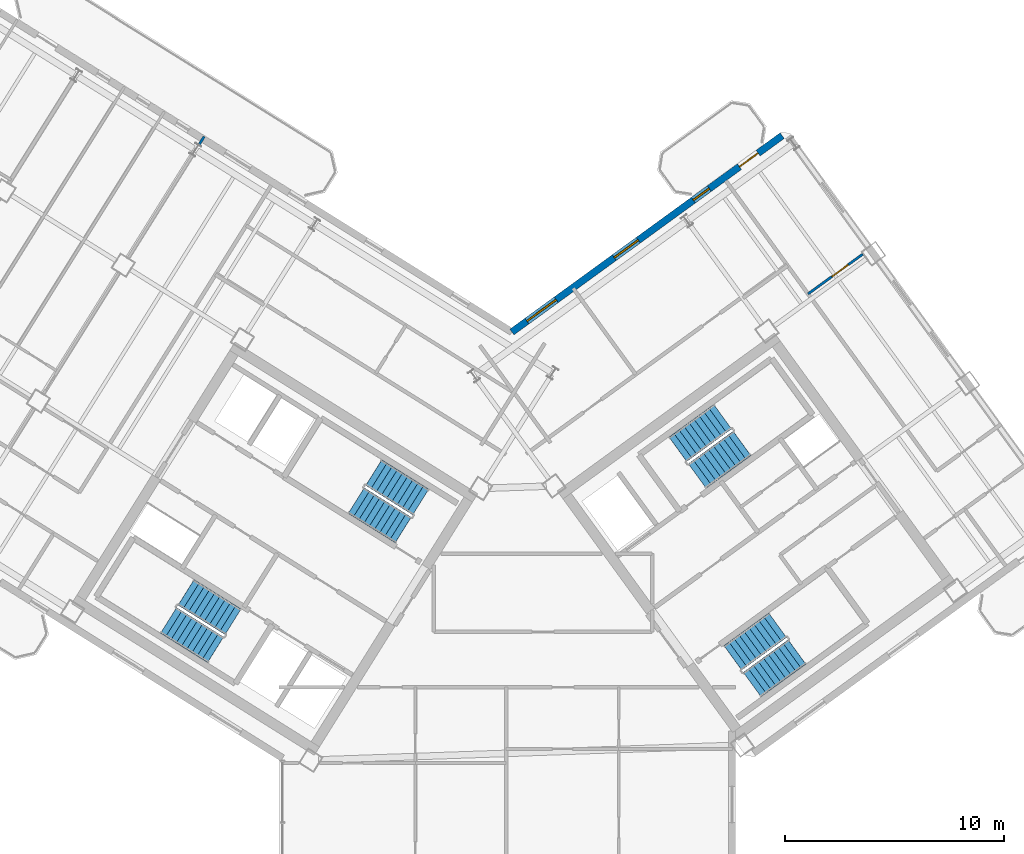
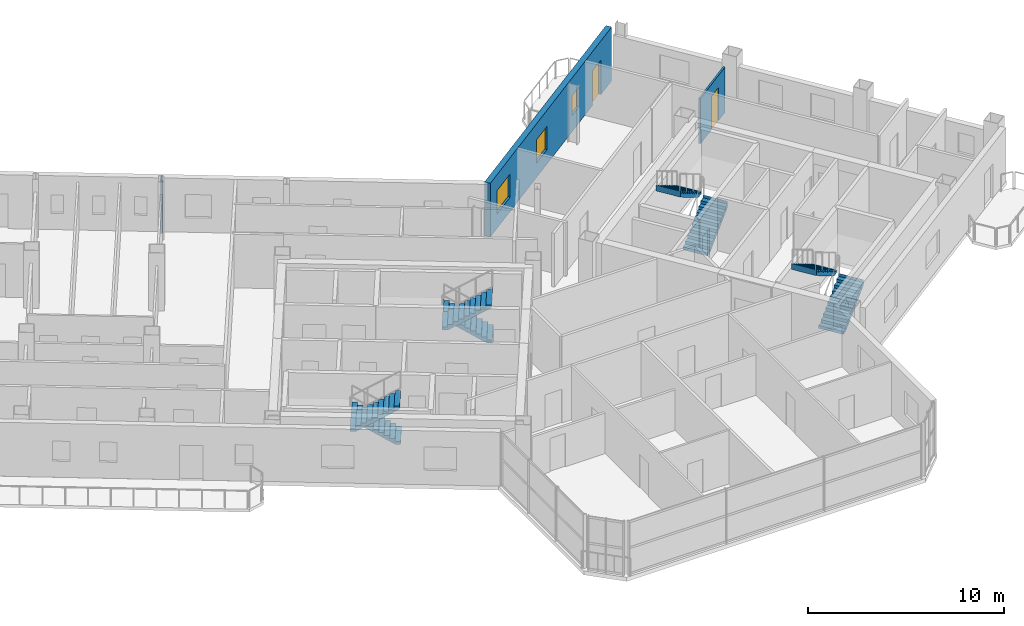
# One storey, part 16 of 20: 8 stair flights, 3 walls, 3 windows, 2 doors, 5 openings, 4 elements without a shape of their own.
"""IFC4 building model written with IfcOpenShell, lengths in metres."""

from ifc_helpers import new_model, si_unit, direction, frame, frame_2d, origin, place, context, subcontext, project, spatial, polyline, rectangle, outline, extrude, source, transform, mapped, material, layer, layer_set, type_object, element, fill, aggregate, save


model = new_model("IFC4")

# Units and contexts
model_context = context("Model", 3, precision=1e-05, world=origin(), true_north=direction((0.0, 1.0)))
body_context = subcontext(model_context, "Body", "Model", "MODEL_VIEW")
ifc_project = project(units=[si_unit("LENGTHUNIT", "METRE"), si_unit("AREAUNIT", "SQUARE_METRE"), si_unit("VOLUMEUNIT", "CUBIC_METRE"), si_unit("PLANEANGLEUNIT", "RADIAN"), si_unit("MASSUNIT", "GRAM", prefix="KILO")], contexts=[model_context])

# Site, building, storey
site_placement = place(None, origin())
site = spatial("IfcSite", under=ifc_project, at=site_placement, CompositionType="ELEMENT")
building_placement = place(site_placement, origin())
building = spatial("IfcBuilding", under=site, at=building_placement, Name="Tlacorven Tower", CompositionType="ELEMENT")
storey_placement = place(building_placement, frame((0.0, 0.0, 225.60009765625)))
storey = spatial("IfcBuildingStorey", under=building, at=storey_placement, Name="L57", CompositionType="ELEMENT", Elevation=225.60009765625)

# Wall, openings, door, windows
ifc_material_1 = material(Name="Precast concrete C45/55", Category="concrete")
ifc_layer_1 = layer(ifc_material_1, 0.320068359375)
ifc_layer_set_1 = layer_set([ifc_layer_1], Name="Precast concrete C45/55")
wall_type_1 = type_object("IfcWallType", Name="WL-EXT-320", PredefinedType="STANDARD", material=ifc_layer_set_1)
wall_1_placement = place(storey_placement, frame((42.20654296875, 31.597412109375, 0.0), z_axis=(0.0, 0.0, 1.0), x_axis=(0.809020333377, 0.587780656523, 0.0)))
wall_1 = element("IfcWall", 1, at=wall_1_placement, inside=storey, type_object=wall_type_1, Name="L57 Masonry-Frame Recessed Facade Wall 4", PredefinedType="STANDARD", context=body_context, shape_type="SweptSolid", body=[
    extrude(rectangle(XDim=15.222900390625, YDim=0.320068359375, at=frame_2d((7.611328125, 0.0))), origin(), (0.0, 0.0, 1.0), 3.349853515625),
])
opening_1_placement = place(wall_1_placement, frame((12.81982421875, 0.0, 0.0)))
opening_1 = element("IfcOpeningElement", 2, at=opening_1_placement, cuts=wall_1, Name="Opening D06", PredefinedType="OPENING", context=body_context, shape_type="SweptSolid", body=[
    extrude(rectangle(XDim=1.050048828125, YDim=2.14990234375, at=frame_2d((0.52490234375, 1.074951171875))), frame((0.0, 0.169921875, 0.0), z_axis=(0.0, -1.0, 0.0), x_axis=(1.0, 0.0, 0.0)), (0.0, 0.0, 1.0), 0.340087890625),
])
opening_2_placement = place(wall_1_placement, frame((0.849609375, 0.0, 0.89990234375)))
opening_2 = element("IfcOpeningElement", 3, at=opening_2_placement, cuts=wall_1, Name="Opening WN07", PredefinedType="OPENING", context=body_context, shape_type="SweptSolid", body=[
    extrude(rectangle(XDim=1.64990234375, YDim=1.449951171875, at=frame_2d((0.824951171875, 0.72509765625))), frame((0.0, 0.169921875, 0.0), z_axis=(0.0, -1.0, 0.0), x_axis=(1.0, 0.0, 0.0)), (0.0, 0.0, 1.0), 0.340087890625),
])
opening_3_placement = place(wall_1_placement, frame((5.769287109375, 0.0, 0.89990234375)))
opening_3 = element("IfcOpeningElement", 4, at=opening_3_placement, cuts=wall_1, Name="Opening WN08", PredefinedType="OPENING", context=body_context, shape_type="SweptSolid", body=[
    extrude(rectangle(XDim=1.35009765625, YDim=1.449951171875, at=frame_2d((0.675048828125, 0.72509765625))), frame((0.0, 0.169921875, 0.0), z_axis=(0.0, -1.0, 0.0), x_axis=(1.0, 0.0, 0.0)), (0.0, 0.0, 1.0), 0.340087890625),
])
opening_4_placement = place(wall_1_placement, frame((10.219482421875, 0.0, 1.0)))
opening_4 = element("IfcOpeningElement", 5, at=opening_4_placement, cuts=wall_1, Name="Opening WN05", PredefinedType="OPENING", context=body_context, shape_type="SweptSolid", body=[
    extrude(rectangle(XDim=0.89990234375, YDim=1.25, at=frame_2d((0.449951171875, 0.625))), frame((0.0, 0.169921875, 0.0), z_axis=(0.0, -1.0, 0.0), x_axis=(1.0, 0.0, 0.0)), (0.0, 0.0, 1.0), 0.340087890625),
])
ifc_material_2 = material(Name="Powder-coated aluminium and timber door", Category="wood")
door_type_1 = type_object("IfcDoorType", Name="DR-EXT-BALC-1050", OperationType="NOTDEFINED", PredefinedType="DOOR", material=ifc_material_2)
shared_shape_1 = source(origin(), body_context, "Body", "SweptSolid", [
    extrude(rectangle(XDim=1.050048828125, YDim=2.14990234375, at=frame_2d((0.52490234375, 1.074951171875))), frame((0.0, 0.02490234375, 0.0), z_axis=(0.0, -1.0, 0.0), x_axis=(1.0, 0.0, 0.0)), (0.0, 0.0, 1.0), 0.050048828125),
])
door_1_placement = place(opening_1_placement, origin())
door_1 = element("IfcDoor", 6, at=door_1_placement, inside=storey, type_object=door_type_1, Name="L57 Outdoor Access Door BAL-L57-E-IN", OperationType="SINGLE_SWING_RIGHT", OverallHeight=2.14990234375, OverallWidth=1.050048828125, PredefinedType="DOOR", context=body_context, shape_type="MappedRepresentation", body=[
    mapped(shared_shape_1, transform((0.0, 0.0, 0.0), scale=1.0)),
])
fill(opening_1, door_1)
ifc_material_3 = material(Name="Dark solar low-E double glazing in anodised aluminium frame", Category="aluminium")
window_type_1 = type_object("IfcWindowType", Name="WN-APT-0900X1350", PartitioningType="SINGLE_PANEL", PredefinedType="WINDOW", material=ifc_material_3)
shared_shape_2 = source(origin(), body_context, "Body", "SweptSolid", [
    extrude(rectangle(XDim=0.89990234375, YDim=1.25, at=frame_2d((0.449951171875, 0.625))), frame((0.0, 0.030029296875, 0.0), z_axis=(0.0, -1.0, 0.0), x_axis=(1.0, 0.0, 0.0)), (0.0, 0.0, 1.0), 0.06005859375),
])
window_1_placement = place(opening_4_placement, origin())
window_1 = element("IfcWindow", 7, at=window_1_placement, inside=storey, type_object=window_type_1, Name="L57 Recessed Masonry-Frame Window L57-04.3", OverallHeight=1.25, OverallWidth=0.89990234375, PartitioningType="SINGLE_PANEL", PredefinedType="WINDOW", context=body_context, shape_type="MappedRepresentation", body=[
    mapped(shared_shape_2, transform((0.0, 0.0, 0.0), scale=1.0)),
])
fill(opening_4, window_1)
window_type_2 = type_object("IfcWindowType", Name="WN-APT-1650X1600", PartitioningType="SINGLE_PANEL", PredefinedType="WINDOW", material=ifc_material_3)
shared_shape_3 = source(origin(), body_context, "Body", "SweptSolid", [
    extrude(rectangle(XDim=1.64990234375, YDim=1.449951171875, at=frame_2d((0.824951171875, 0.72509765625))), frame((0.0, 0.030029296875, 0.0), z_axis=(0.0, -1.0, 0.0), x_axis=(1.0, 0.0, 0.0)), (0.0, 0.0, 1.0), 0.06005859375),
])
window_2_placement = place(opening_2_placement, origin())
window_2 = element("IfcWindow", 8, at=window_2_placement, inside=storey, type_object=window_type_2, Name="L57 Recessed Masonry-Frame Window L57-04.1", OverallHeight=1.449951171875, OverallWidth=1.64990234375, PartitioningType="SINGLE_PANEL", PredefinedType="WINDOW", context=body_context, shape_type="MappedRepresentation", body=[
    mapped(shared_shape_3, transform((0.0, 0.0, 0.0), scale=1.0)),
])
fill(opening_2, window_2)
window_type_3 = type_object("IfcWindowType", Name="WN-APT-1350X1550", PartitioningType="SINGLE_PANEL", PredefinedType="WINDOW", material=ifc_material_3)
shared_shape_4 = source(origin(), body_context, "Body", "SweptSolid", [
    extrude(rectangle(XDim=1.35009765625, YDim=1.449951171875, at=frame_2d((0.675048828125, 0.72509765625))), frame((0.0, 0.030029296875, 0.0), z_axis=(0.0, -1.0, 0.0), x_axis=(1.0, 0.0, 0.0)), (0.0, 0.0, 1.0), 0.06005859375),
])
window_3_placement = place(opening_3_placement, origin())
window_3 = element("IfcWindow", 9, at=window_3_placement, inside=storey, type_object=window_type_3, Name="L57 Recessed Masonry-Frame Window L57-04.2", OverallHeight=1.449951171875, OverallWidth=1.35009765625, PartitioningType="SINGLE_PANEL", PredefinedType="WINDOW", context=body_context, shape_type="MappedRepresentation", body=[
    mapped(shared_shape_4, transform((0.0, 0.0, 0.0), scale=1.0)),
])
fill(opening_3, window_3)

# Wall
ifc_material_4 = material(Name="Gypsum plasterboard partition", Category="gypsum")
ifc_layer_2 = layer(ifc_material_4, 0.110107421875)
ifc_layer_set_2 = layer_set([ifc_layer_2], Name="Gypsum plasterboard partition")
wall_type_2 = type_object("IfcWallType", Name="WL-INT-110", PredefinedType="PARTITIONING", material=ifc_layer_set_2)
wall_2_placement = place(storey_placement, frame((28.184326171875, 40.500732421875, 0.0), z_axis=(0.0, 0.0, 1.0), x_axis=(-0.529593308415, -0.848251688877, 0.0)))
element("IfcWall", 10, at=wall_2_placement, inside=storey, type_object=wall_type_2, Name="L57 partition 45", PredefinedType="PARTITIONING", context=body_context, shape_type="SweptSolid", body=[
    extrude(rectangle(XDim=0.432861328125, YDim=0.110107421875, at=frame_2d((0.21630859375, 0.0))), origin(), (0.0, 0.0, 1.0), 3.33984375),
])

# Wall, opening, door
wall_3_placement = place(storey_placement, frame((55.70263671875, 33.333984375, 0.0), z_axis=(0.0, 0.0, 1.0), x_axis=(0.809044670406, 0.587747157618, 0.0)))
wall_3 = element("IfcWall", 11, at=wall_3_placement, inside=storey, type_object=wall_type_2, Name="L57 partition 85", PredefinedType="PARTITIONING", context=body_context, shape_type="SweptSolid", body=[
    extrude(rectangle(XDim=3.077880859375, YDim=0.110107421875, at=frame_2d((1.5390625, 0.0))), origin(), (0.0, 0.0, 1.0), 2.824951171875),
])
opening_5_placement = place(wall_3_placement, frame((1.344970703125, 0.0, 0.0)))
opening_5 = element("IfcOpeningElement", 12, at=opening_5_placement, cuts=wall_3, Name="Opening D12", PredefinedType="OPENING", context=body_context, shape_type="SweptSolid", body=[
    extrude(rectangle(XDim=0.919921875, YDim=2.080078125, at=frame_2d((0.4599609375, 1.0400390625))), frame((0.0, 0.06494140625, 0.0), z_axis=(0.0, -1.0, 0.0), x_axis=(1.0, 0.0, 0.0)), (0.0, 0.0, 1.0), 0.130126953125),
])
door_type_2 = type_object("IfcDoorType", Name="DR-INT-ROOM-0920", OperationType="NOTDEFINED", PredefinedType="DOOR", material=ifc_material_2)
shared_shape_5 = source(origin(), body_context, "Body", "SweptSolid", [
    extrude(rectangle(XDim=0.919921875, YDim=2.080078125, at=frame_2d((0.4599609375, 1.0400390625))), frame((0.0, 0.02490234375, 0.0), z_axis=(0.0, -1.0, 0.0), x_axis=(1.0, 0.0, 0.0)), (0.0, 0.0, 1.0), 0.050048828125),
])
door_2_placement = place(opening_5_placement, origin())
door_2 = element("IfcDoor", 13, at=door_2_placement, inside=storey, type_object=door_type_2, Name="L57 door 056", OperationType="SINGLE_SWING_LEFT", OverallHeight=2.080078125, OverallWidth=0.919921875, PredefinedType="DOOR", context=body_context, shape_type="MappedRepresentation", body=[
    mapped(shared_shape_5, transform((0.0, 0.0, 0.0), scale=1.0)),
])
fill(opening_5, door_2)

# Stair, stair flights
ifc_material_5 = material(Name="Concrete C40/50", Category="concrete")
stair_type = type_object("IfcStairType", Name="ST-CORE-DLG", PredefinedType="HALF_TURN_STAIR", material=ifc_material_5)
stair_1_placement = place(storey_placement, origin())
stair_1 = element("IfcStair", 14, at=stair_1_placement, inside=storey, type_object=stair_type, Name="L57 Protected Exit Stair West 1", PredefinedType="HALF_TURN_STAIR")
stair_flight_type = type_object("IfcStairFlightType", Name="SFL-RC-1380", PredefinedType="STRAIGHT", material=ifc_material_5)
shared_shape_6 = source(origin(), body_context, "Body", "SweptSolid", [
    extrude(outline(polyline([(-0.0029296875, -0.0029296875), (-0.0029296875, 0.179931640625), (0.280029296875, 0.179931640625), (0.280029296875, 0.360107421875), (0.56005859375, 0.360107421875), (0.56005859375, 0.5400390625), (0.840087890625, 0.5400390625), (0.840087890625, 0.719970703125), (1.1201171875, 0.719970703125), (1.1201171875, 0.89990234375), (1.39990234375, 0.89990234375), (1.39990234375, 1.080078125), (1.679931640625, 1.080078125), (1.679931640625, 1.260009765625), (1.9599609375, 1.260009765625), (1.9599609375, 1.43994140625), (2.239990234375, 1.43994140625), (2.239990234375, 1.6201171875), (2.52001953125, 1.6201171875), (2.52001953125, 1.800048828125), (2.52294921875, 1.800048828125), (2.52294921875, 1.429931640625), (2.52001953125, 1.429931640625), (0.295654296875, 0.0), (0.295654296875, -0.0029296875), (-0.0029296875, -0.0029296875)])), frame((0.0, 0.68994140625, 0.0), z_axis=(0.0, -1.0, 0.0), x_axis=(1.0, 0.0, 0.0)), (0.0, 0.0, 1.0), 1.3798828125),
])
stair_flight_1_placement = place(storey_placement, frame((29.499755859375, 18.39453125, 0.0), z_axis=(0.0, 0.0, 1.0), x_axis=(-0.848048096156, 0.529919264233, 0.0)))
stair_flight_1 = element("IfcStairFlight", 15, at=stair_flight_1_placement, type_object=stair_flight_type, Name="ST-W1 flight 1", NumberOfRisers=10, NumberOfTreads=9, PredefinedType="STRAIGHT", RiserHeight=0.18, TreadLength=0.28, context=body_context, shape_type="MappedRepresentation", body=[
    mapped(shared_shape_6, transform((0.0, 0.0, 0.0), scale=1.0)),
])
stair_flight_2_placement = place(storey_placement, frame((26.56787109375, 18.4580078125, 1.7998046875), z_axis=(0.0, 0.0, 1.0), x_axis=(0.848048096156, -0.529919264233, 0.0)))
stair_flight_2 = element("IfcStairFlight", 16, at=stair_flight_2_placement, type_object=stair_flight_type, Name="ST-W1 flight 2", NumberOfRisers=10, NumberOfTreads=9, PredefinedType="STRAIGHT", RiserHeight=0.18, TreadLength=0.28, context=body_context, shape_type="MappedRepresentation", body=[
    mapped(shared_shape_6, transform((0.0, 0.0, 0.0), scale=1.0)),
])
aggregate(stair_1, [stair_flight_1, stair_flight_2])

stair_2_placement = place(storey_placement, origin())
stair_2 = element("IfcStair", 17, at=stair_2_placement, inside=storey, type_object=stair_type, Name="L57 Protected Exit Stair West 2", PredefinedType="HALF_TURN_STAIR")
stair_flight_3_placement = place(storey_placement, frame((38.051513671875, 23.852294921875, 0.0), z_axis=(0.0, 0.0, 1.0), x_axis=(-0.848048096156, 0.529919264233, 0.0)))
stair_flight_3 = element("IfcStairFlight", 18, at=stair_flight_3_placement, type_object=stair_flight_type, Name="ST-W2 flight 1", NumberOfRisers=10, NumberOfTreads=9, PredefinedType="STRAIGHT", RiserHeight=0.18, TreadLength=0.28, context=body_context, shape_type="MappedRepresentation", body=[
    mapped(shared_shape_6, transform((0.0, 0.0, 0.0), scale=1.0)),
])
stair_flight_4_placement = place(storey_placement, frame((35.119384765625, 23.91552734375, 1.7998046875), z_axis=(0.0, 0.0, 1.0), x_axis=(0.848048096156, -0.529919264233, 0.0)))
stair_flight_4 = element("IfcStairFlight", 19, at=stair_flight_4_placement, type_object=stair_flight_type, Name="ST-W2 flight 2", NumberOfRisers=10, NumberOfTreads=9, PredefinedType="STRAIGHT", RiserHeight=0.18, TreadLength=0.28, context=body_context, shape_type="MappedRepresentation", body=[
    mapped(shared_shape_6, transform((0.0, 0.0, 0.0), scale=1.0)),
])
aggregate(stair_2, [stair_flight_3, stair_flight_4])

stair_3_placement = place(storey_placement, origin())
stair_3 = element("IfcStair", 20, at=stair_3_placement, inside=storey, type_object=stair_type, Name="L57 Protected Exit Stair East 1", PredefinedType="HALF_TURN_STAIR")
stair_flight_5_placement = place(storey_placement, frame((50.6533203125, 25.0400390625, 0.0), z_axis=(0.0, 0.0, 1.0), x_axis=(0.809016994375, 0.587785252292, 0.0)))
stair_flight_5 = element("IfcStairFlight", 21, at=stair_flight_5_placement, type_object=stair_flight_type, Name="ST-E1 flight 1", NumberOfRisers=10, NumberOfTreads=9, PredefinedType="STRAIGHT", RiserHeight=0.18, TreadLength=0.28, context=body_context, shape_type="MappedRepresentation", body=[
    mapped(shared_shape_6, transform((0.0, 0.0, 0.0), scale=1.0)),
])
stair_flight_6_placement = place(storey_placement, frame((51.810546875, 27.734619140625, 1.7998046875), z_axis=(0.0, 0.0, 1.0), x_axis=(-0.809016994375, -0.587785252292, 0.0)))
stair_flight_6 = element("IfcStairFlight", 22, at=stair_flight_6_placement, type_object=stair_flight_type, Name="ST-E1 flight 2", NumberOfRisers=10, NumberOfTreads=9, PredefinedType="STRAIGHT", RiserHeight=0.18, TreadLength=0.28, context=body_context, shape_type="MappedRepresentation", body=[
    mapped(shared_shape_6, transform((0.0, 0.0, 0.0), scale=1.0)),
])
aggregate(stair_3, [stair_flight_5, stair_flight_6])

stair_4_placement = place(storey_placement, origin())
stair_4 = element("IfcStair", 23, at=stair_4_placement, inside=storey, type_object=stair_type, Name="L57 Protected Exit Stair East 2", PredefinedType="HALF_TURN_STAIR")
stair_flight_7_placement = place(storey_placement, frame((53.157470703125, 15.536865234375, 0.0), z_axis=(0.0, 0.0, 1.0), x_axis=(0.809016994375, 0.587785252292, 0.0)))
stair_flight_7 = element("IfcStairFlight", 24, at=stair_flight_7_placement, type_object=stair_flight_type, Name="ST-E2 flight 1", NumberOfRisers=10, NumberOfTreads=9, PredefinedType="STRAIGHT", RiserHeight=0.18, TreadLength=0.28, context=body_context, shape_type="MappedRepresentation", body=[
    mapped(shared_shape_6, transform((0.0, 0.0, 0.0), scale=1.0)),
])
stair_flight_8_placement = place(storey_placement, frame((54.314453125, 18.231689453125, 1.7998046875), z_axis=(0.0, 0.0, 1.0), x_axis=(-0.809016994375, -0.587785252292, 0.0)))
stair_flight_8 = element("IfcStairFlight", 25, at=stair_flight_8_placement, type_object=stair_flight_type, Name="ST-E2 flight 2", NumberOfRisers=10, NumberOfTreads=9, PredefinedType="STRAIGHT", RiserHeight=0.18, TreadLength=0.28, context=body_context, shape_type="MappedRepresentation", body=[
    mapped(shared_shape_6, transform((0.0, 0.0, 0.0), scale=1.0)),
])
aggregate(stair_4, [stair_flight_7, stair_flight_8])

save(model, "model.ifc")
